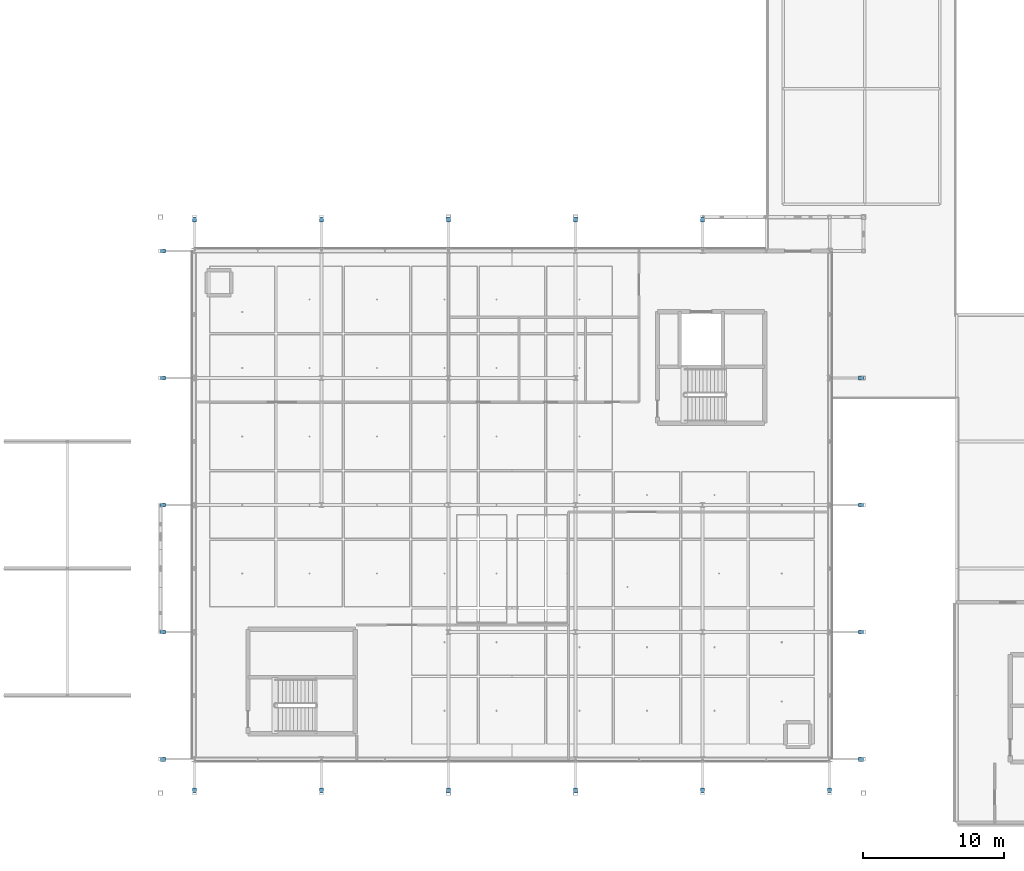
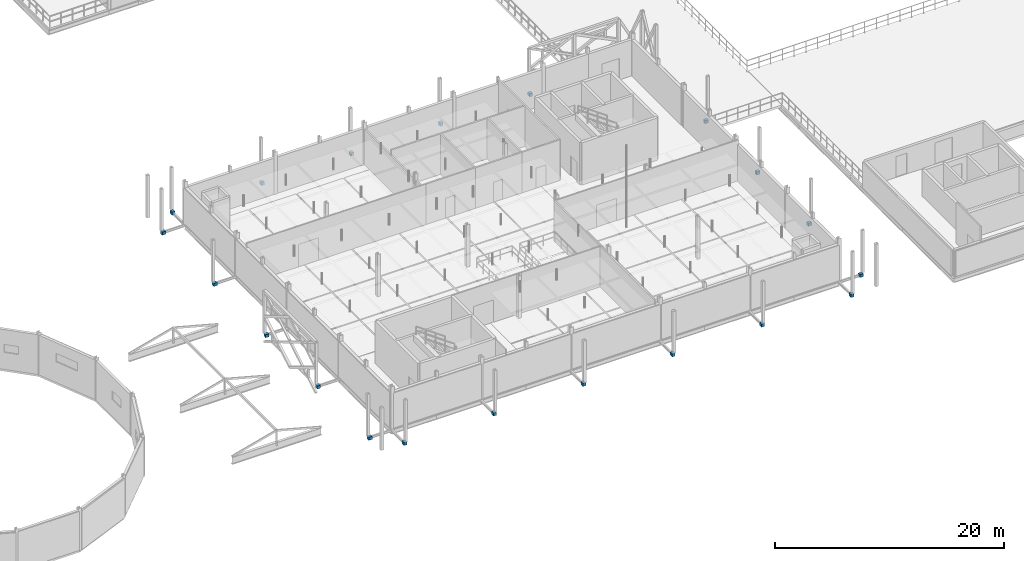
# One storey, part 78 of 89: 20 discrete accessories.
"""IFC4 building model written with IfcOpenShell, lengths in metres."""

from ifc_helpers import new_model, si_unit, direction, frame, origin, origin_2d, place, context, subcontext, project, spatial, rectangle, extrude, material, type_object, element, save


model = new_model("IFC4")

# Units and contexts
model_context = context("Model", 3, precision=1e-05, world=origin(), true_north=direction((0.0, 1.0)))
body_context = subcontext(model_context, "Body", "Model", "MODEL_VIEW")
ifc_project = project(units=[si_unit("LENGTHUNIT", "METRE"), si_unit("AREAUNIT", "SQUARE_METRE"), si_unit("VOLUMEUNIT", "CUBIC_METRE"), si_unit("PLANEANGLEUNIT", "RADIAN"), si_unit("MASSUNIT", "GRAM", prefix="KILO"), si_unit("THERMODYNAMICTEMPERATUREUNIT", "KELVIN"), si_unit("POWERUNIT", "WATT")], contexts=[model_context])

# Site, building, storey
site_placement = place(None, origin())
site = spatial("IfcSite", under=ifc_project, at=site_placement, CompositionType="ELEMENT")
building_placement = place(site_placement, origin())
building = spatial("IfcBuilding", under=site, at=building_placement, Name="Tallowbark Science Centre", CompositionType="ELEMENT")
storey_placement = place(building_placement, frame((0.0, 0.0, 14.39990234375)))
storey = spatial("IfcBuildingStorey", under=building, at=storey_placement, Name="L03", CompositionType="ELEMENT", Elevation=14.39990234375)

# Discrete accessories
ifc_material = material(Name="White Architectural Painted Steel Grade C350L0 (350 MPa)", Category="steel")
discrete_accessory_type = type_object("IfcDiscreteAccessoryType", Name="ACC-BRK-OUT", PredefinedType="BRACKET", material=ifc_material)
for number, where, z_axis, x_axis, name in (
    (1, (58.5, 2.280029296875, -0.41015625), (0.0, 0.0, 1.0), (1.0, 0.0, 0.0), "Outrigger Gusset Bracket S-37"),
    (2, (58.5, 42.719970703125, -0.41015625), (0.0, 0.0, 1.0), (1.0, 0.0, 0.0), "Outrigger Gusset Bracket N-38"),
    (3, (67.5, 2.280029296875, -0.41015625), (0.0, 0.0, 1.0), (1.0, 0.0, 0.0), "Outrigger Gusset Bracket S-39"),
    (4, (67.5, 42.719970703125, -0.41015625), (0.0, 0.0, 1.0), (1.0, 0.0, 0.0), "Outrigger Gusset Bracket N-40"),
    (5, (76.5, 2.280029296875, -0.41015625), (0.0, 0.0, 1.0), (1.0, 0.0, 0.0), "Outrigger Gusset Bracket S-41"),
    (6, (76.5, 42.719970703125, -0.41015625), (0.0, 0.0, 1.0), (1.0, 0.0, 0.0), "Outrigger Gusset Bracket N-42"),
    (7, (85.5, 2.280029296875, -0.41015625), (0.0, 0.0, 1.0), (1.0, 0.0, 0.0), "Outrigger Gusset Bracket S-43"),
    (8, (85.5, 42.719970703125, -0.41015625), (0.0, 0.0, 1.0), (1.0, 0.0, 0.0), "Outrigger Gusset Bracket N-44"),
    (9, (94.5, 2.280029296875, -0.41015625), (0.0, 0.0, 1.0), (1.0, 0.0, 0.0), "Outrigger Gusset Bracket S-45"),
    (10, (94.5, 42.719970703125, -0.41015625), (0.0, 0.0, 1.0), (1.0, 0.0, 0.0), "Outrigger Gusset Bracket N-46"),
    (11, (103.5, 2.280029296875, -0.41015625), (0.0, 0.0, 1.0), (1.0, 0.0, 0.0), "Outrigger Gusset Bracket S-47"),
):
    element("IfcDiscreteAccessory", number, at=place(storey_placement, frame(where, z_axis=z_axis, x_axis=x_axis)), inside=storey, type_object=discrete_accessory_type, Name=name, PredefinedType="BRACKET", context=body_context, shape_type="SweptSolid", body=[
        extrude(rectangle(XDim=0.300048828125, YDim=0.35009765625, at=origin_2d()), origin(), (0.0, 0.0, 1.0), 0.320068359375),
    ])
for number, where, z_axis, x_axis, name in (
    (12, (56.280029296875, 4.5, -0.41015625), (0.0, 0.0, 1.0), (1.0, 0.0, 0.0), "Outrigger Gusset Bracket W-48"),
    (13, (105.719970703125, 4.5, -0.41015625), (0.0, 0.0, 1.0), (1.0, 0.0, 0.0), "Outrigger Gusset Bracket E-49"),
    (14, (56.280029296875, 13.5, -0.41015625), (0.0, 0.0, 1.0), (1.0, 0.0, 0.0), "Outrigger Gusset Bracket W-50"),
    (15, (105.719970703125, 13.5, -0.41015625), (0.0, 0.0, 1.0), (1.0, 0.0, 0.0), "Outrigger Gusset Bracket E-51"),
    (16, (56.280029296875, 22.5, -0.41015625), (0.0, 0.0, 1.0), (1.0, 0.0, 0.0), "Outrigger Gusset Bracket W-52"),
    (17, (105.719970703125, 22.5, -0.41015625), (0.0, 0.0, 1.0), (1.0, 0.0, 0.0), "Outrigger Gusset Bracket E-53"),
    (18, (56.280029296875, 31.5, -0.41015625), (0.0, 0.0, 1.0), (1.0, 0.0, 0.0), "Outrigger Gusset Bracket W-54"),
    (19, (105.719970703125, 31.5, -0.41015625), (0.0, 0.0, 1.0), (1.0, 0.0, 0.0), "Outrigger Gusset Bracket E-55"),
    (20, (56.280029296875, 40.5, -0.41015625), (0.0, 0.0, 1.0), (1.0, 0.0, 0.0), "Outrigger Gusset Bracket W-56"),
):
    element("IfcDiscreteAccessory", number, at=place(storey_placement, frame(where, z_axis=z_axis, x_axis=x_axis)), inside=storey, type_object=discrete_accessory_type, Name=name, PredefinedType="BRACKET", context=body_context, shape_type="SweptSolid", body=[
        extrude(rectangle(XDim=0.35009765625, YDim=0.300048828125, at=origin_2d()), origin(), (0.0, 0.0, 1.0), 0.320068359375),
    ])

save(model, "model.ifc")
